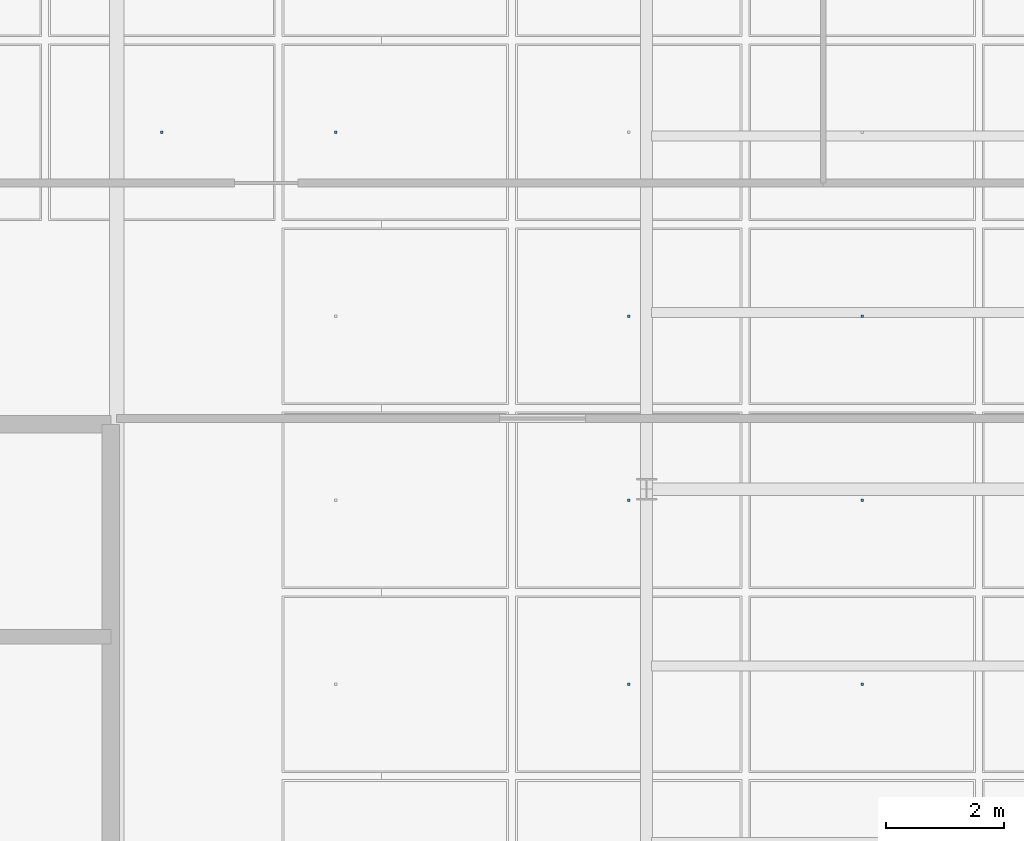
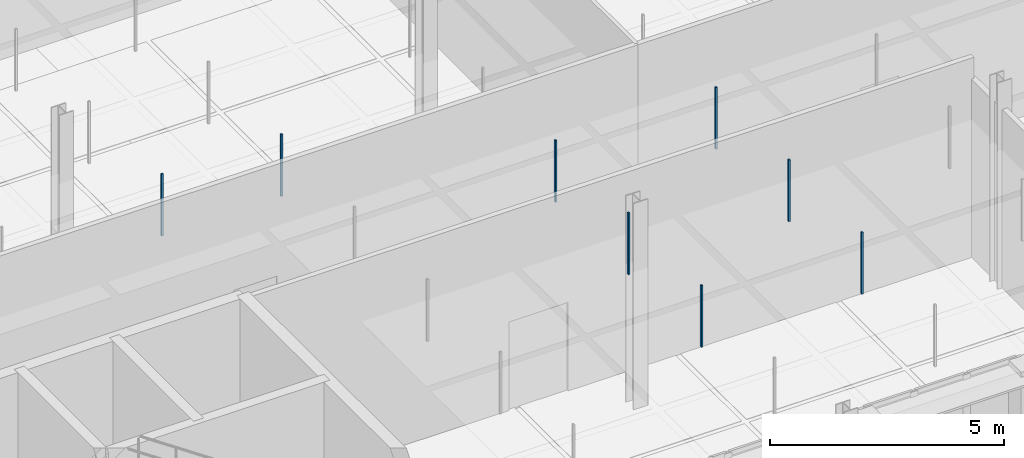
# One storey, part 131 of 180: 8 discrete accessories.
"""IFC4 building model written with IfcOpenShell, lengths in metres."""

from ifc_helpers import new_model, si_unit, direction, frame, origin, origin_2d, place, context, subcontext, project, spatial, rectangle, extrude, material, type_object, element, save


model = new_model("IFC4")

# Units and contexts
model_context = context("Model", 3, precision=1e-05, world=origin(), true_north=direction((0.0, 1.0)))
body_context = subcontext(model_context, "Body", "Model", "MODEL_VIEW")
ifc_project = project(units=[si_unit("LENGTHUNIT", "METRE"), si_unit("AREAUNIT", "SQUARE_METRE"), si_unit("VOLUMEUNIT", "CUBIC_METRE"), si_unit("PLANEANGLEUNIT", "RADIAN"), si_unit("MASSUNIT", "GRAM", prefix="KILO"), si_unit("THERMODYNAMICTEMPERATUREUNIT", "KELVIN"), si_unit("POWERUNIT", "WATT")], contexts=[model_context])

# Site, building, storey
site_placement = place(None, origin())
site = spatial("IfcSite", under=ifc_project, at=site_placement, CompositionType="ELEMENT")
building_placement = place(site_placement, origin())
building = spatial("IfcBuilding", under=site, at=building_placement, Name="Tallowbark Science Centre", CompositionType="ELEMENT")
storey_placement = place(building_placement, origin())
storey = spatial("IfcBuildingStorey", under=building, at=storey_placement, Name="L00", CompositionType="ELEMENT", Elevation=0.0)

# Discrete accessories
ifc_material = material(Name="Galvanised Steel Grade C350L0 (350 MPa)", Category="steel")
discrete_accessory_type = type_object("IfcDiscreteAccessoryType", Name="ACC-CLG-HNG", PredefinedType="BRACKET", material=ifc_material)
for number, where, z_axis, x_axis, name in (
    (1, (81.767822265625, 87.0625, 3.60498046875), (0.0, 0.0, 1.0), (1.0, 0.0, 0.0), "Ceiling Hanger Bracket L00-337"),
    (2, (84.719970703125, 87.0625, 3.60498046875), (0.0, 0.0, 1.0), (1.0, 0.0, 0.0), "Ceiling Hanger Bracket L00-345"),
    (3, (89.6962890625, 77.6875, 3.60498046875), (0.0, 0.0, 1.0), (1.0, 0.0, 0.0), "Ceiling Hanger Bracket L00-350"),
    (4, (89.6962890625, 80.8125, 3.60498046875), (0.0, 0.0, 1.0), (1.0, 0.0, 0.0), "Ceiling Hanger Bracket L00-351"),
    (5, (89.6962890625, 83.9375, 3.60498046875), (0.0, 0.0, 1.0), (1.0, 0.0, 0.0), "Ceiling Hanger Bracket L00-352"),
    (6, (93.66064453125, 77.6875, 3.60498046875), (0.0, 0.0, 1.0), (1.0, 0.0, 0.0), "Ceiling Hanger Bracket L00-358"),
    (7, (93.66064453125, 80.8125, 3.60498046875), (0.0, 0.0, 1.0), (1.0, 0.0, 0.0), "Ceiling Hanger Bracket L00-359"),
    (8, (93.66064453125, 83.9375, 3.60498046875), (0.0, 0.0, 1.0), (1.0, 0.0, 0.0), "Ceiling Hanger Bracket L00-360"),
):
    element("IfcDiscreteAccessory", number, at=place(storey_placement, frame(where, z_axis=z_axis, x_axis=x_axis)), inside=storey, type_object=discrete_accessory_type, Name=name, PredefinedType="BRACKET", context=body_context, shape_type="SweptSolid", body=[
        extrude(rectangle(XDim=0.044921875, YDim=0.044921875, at=origin_2d()), origin(), (0.0, 0.0, 1.0), 1.617919921875),
    ])

save(model, "model.ifc")
